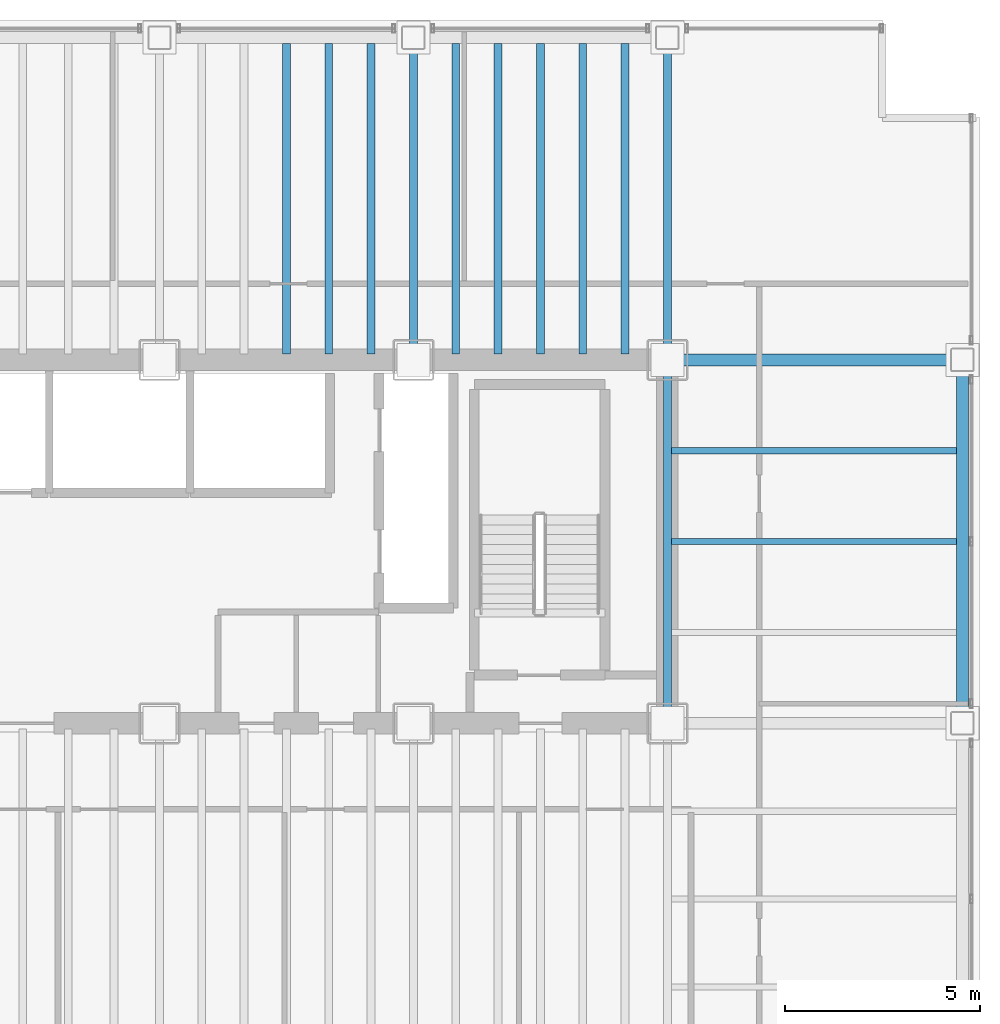
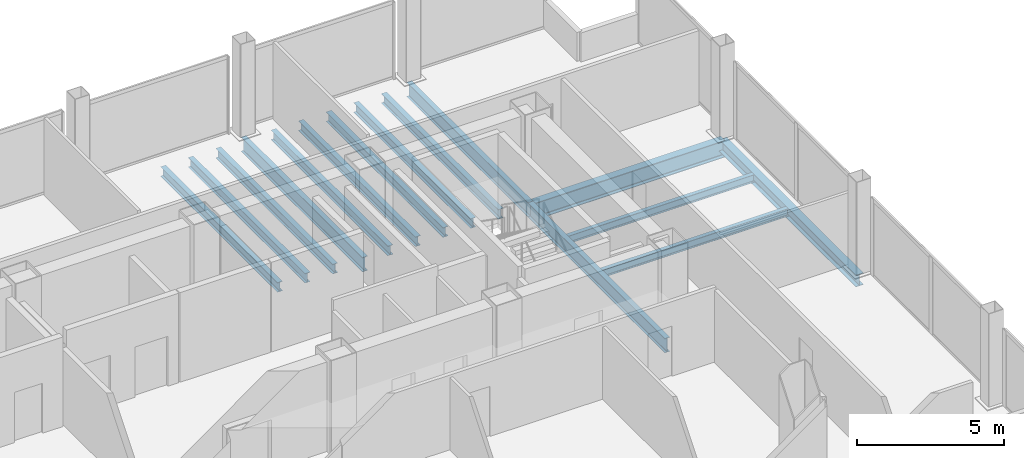
# One storey, part 12 of 21: 15 beams.
"""IFC4 building model written with IfcOpenShell, lengths in metres."""

import ifcopenshell
import ifcopenshell.guid

model = None  # the IFC model being written
_history = None  # IfcOwnerHistory: only IFC2X3 demands one
_inside = {}  # id of a spatial element -> (the spatial element, [elements in it])
_under = {}  # id of a project, library or spatial element -> (it, [spatial elements below it])
_declared = {}  # id of a project -> (the project, [libraries it declares])
_typed = {}  # id of a type object -> (the type object, [elements of that type])
_made_of = {}  # id of a material, layer set ... -> (it, [elements and type objects made of it])


def new_model(schema):
    """Start an empty IFC model of exactly this schema.

    Asked for "IFC4X3", IfcOpenShell would pick the latest addendum, in which some entities
    have other attributes; the version numbers below select the first issue.
    IFC2X3 requires an IfcOwnerHistory on every rooted entity: one is made here for all.
    """
    global model, _history
    if schema == "IFC4X3":
        model = ifcopenshell.file(schema_version=(4, 3, 0, 0))
    else:
        model = ifcopenshell.file(schema=schema)
    _inside.clear()
    _under.clear()
    _declared.clear()
    _typed.clear()
    _made_of.clear()
    _history = None
    if model.schema == "IFC2X3":
        org = make("IfcOrganization", Name="unknown")
        user = make(
            "IfcPersonAndOrganization",
            ThePerson=make("IfcPerson", FamilyName="unknown"),
            TheOrganization=org,
        )
        app = make(
            "IfcApplication",
            ApplicationDeveloper=org,
            Version="unknown",
            ApplicationFullName="unknown",
            ApplicationIdentifier="unknown",
        )
        _history = make(
            "IfcOwnerHistory",
            OwningUser=user,
            OwningApplication=app,
            ChangeAction="ADDED",
            CreationDate=0,
        )
    return model


def make(cls, **values):
    """One entity of the class cls with the attributes given. An attribute that is None is left unset."""
    return model.create_entity(
        cls, **{name: value for name, value in values.items() if value is not None}
    )


def rooted(cls, **values):
    """An entity with a GlobalId (a new one), such as an element, a storey or a relation."""
    return make(cls, GlobalId=ifcopenshell.guid.new(), OwnerHistory=_history, **values)


def si_unit(unit_type, name, prefix=None):
    """IfcSIUnit, for example si_unit("LENGTHUNIT", "METRE", prefix="MILLI")."""
    return make("IfcSIUnit", UnitType=unit_type, Prefix=prefix, Name=name)


def assignment(units):
    """IfcUnitAssignment: the units of a project."""
    return None if units is None else make("IfcUnitAssignment", Units=units)


def point(xyz):
    """IfcCartesianPoint."""
    return None if xyz is None else make("IfcCartesianPoint", Coordinates=xyz)


def direction(xyz):
    """IfcDirection."""
    return None if xyz is None else make("IfcDirection", DirectionRatios=xyz)


def frame(location, z_axis=None, x_axis=None):
    """IfcAxis2Placement3D, a coordinate frame: its origin and axes. An axis left out is left unset."""
    return make(
        "IfcAxis2Placement3D",
        Location=point(location),
        Axis=direction(z_axis),
        RefDirection=direction(x_axis),
    )


def frame_2d(location, x_axis=None):
    """IfcAxis2Placement2D, a coordinate frame in the plane: its origin and x axis."""
    return make(
        "IfcAxis2Placement2D", Location=point(location), RefDirection=direction(x_axis)
    )


def origin():
    """The frame at (0, 0, 0) with its axes left unset."""
    return frame((0.0, 0.0, 0.0))


def origin_2d():
    """The frame at (0, 0) in the plane with its x axis left unset."""
    return frame_2d((0.0, 0.0))


def place(relative_to, where):
    """IfcLocalPlacement: puts the frame where relative to a parent placement (None: the world)."""
    return make(
        "IfcLocalPlacement", PlacementRelTo=relative_to, RelativePlacement=where
    )


def context(
    kind, dimensions, precision=None, world=None, true_north=None, identifier=None
):
    """IfcGeometricRepresentationContext, for example the 3D "Model" context."""
    return make(
        "IfcGeometricRepresentationContext",
        ContextIdentifier=identifier,
        ContextType=kind,
        CoordinateSpaceDimension=dimensions,
        Precision=precision,
        WorldCoordinateSystem=world,
        TrueNorth=true_north,
    )


def subcontext(parent, identifier, kind, view, scale=None):
    """IfcGeometricRepresentationSubContext, for example "Body" below "Model"."""
    return make(
        "IfcGeometricRepresentationSubContext",
        ContextIdentifier=identifier,
        ContextType=kind,
        ParentContext=parent,
        TargetScale=scale,
        TargetView=view,
    )


def project(units=None, contexts=None):
    """IfcProject with its units and contexts."""
    return rooted(
        "IfcProject",
        Name="project",
        RepresentationContexts=contexts,
        UnitsInContext=assignment(units),
    )


def spatial(cls, under=None, at=None, **own):
    """A site, building, storey or space (cls), placed at a placement, below another one or the project."""
    s = rooted(cls, ObjectPlacement=at, **own)
    if under is not None:
        _under.setdefault(under.id(), (under, []))[1].append(s)
    return s


def profile(cls, at=None, kind="AREA", **sizes):
    """A parametric profile (cls). Its sizes go by their IFC names, for example OverallWidth=200.0."""
    return make(cls, ProfileType=kind, Position=at, **sizes)


def i_section(**sizes):
    """IfcIShapeProfileDef."""
    return profile("IfcIShapeProfileDef", **sizes)


def extrude(swept, where, along, depth):
    """IfcExtrudedAreaSolid: the profile swept, set in the frame where, extruded along a direction by depth."""
    return make(
        "IfcExtrudedAreaSolid",
        SweptArea=swept,
        Position=where,
        ExtrudedDirection=direction(along),
        Depth=depth,
    )


def shape(context_of_items, identifier, shape_type, items):
    """IfcShapeRepresentation: the items that make up one representation, for example the "Body"."""
    return make(
        "IfcShapeRepresentation",
        ContextOfItems=context_of_items,
        RepresentationIdentifier=identifier,
        RepresentationType=shape_type,
        Items=items,
    )


def material(Name=None, Category=None):
    """IfcMaterial."""
    return make("IfcMaterial", Name=Name, Category=Category)


def material_profile(
    of_material, cross_section, Name=None, Category=None, Priority=None
):
    """IfcMaterialProfile: a cross section and its material."""
    return make(
        "IfcMaterialProfile",
        Name=Name,
        Material=of_material,
        Profile=cross_section,
        Priority=Priority,
        Category=Category,
    )


def profile_set(profiles, Name=None, composite=None):
    """IfcMaterialProfileSet."""
    return make(
        "IfcMaterialProfileSet",
        Name=Name,
        MaterialProfiles=profiles,
        CompositeProfile=composite,
    )


def made_of(thing, what):
    """Note that an element or type object is made of a material, layer set ...; save() writes the relation."""
    if what is not None:
        _made_of.setdefault(what.id(), (what, []))[1].append(thing)
    return thing


def type_object(cls, material=None, **own):
    """A type object (cls), such as IfcWallType, which elements share."""
    return made_of(rooted(cls, **own), material)


def element(
    cls,
    number,
    at=None,
    inside=None,
    cuts=None,
    type_object=None,
    material=None,
    context=None,
    identifier="Body",
    shape_type=None,
    held_by="IfcProductDefinitionShape",
    body=None,
    shapes=None,
    **own,
):
    """One element of the class cls, such as IfcWall. Its Tag is "e" and its number.

    at: its placement. inside: the storey or other place that contains it. cuts: it is an
    opening in that element (IfcRelVoidsElement). A single representation is given by context,
    identifier, shape_type and body (its items); several are given by shapes. held_by: the class
    of the entity that holds the representations. save() writes the other relations.
    """
    e = rooted(cls, Tag="e%d" % number, ObjectPlacement=at, **own)
    if body is not None:
        shapes = [shape(context, identifier, shape_type, body)]
    if shapes is not None:
        e.Representation = make(held_by, Representations=shapes)
    if inside is not None:
        _inside.setdefault(inside.id(), (inside, []))[1].append(e)
    if cuts is not None:
        rooted(
            "IfcRelVoidsElement", RelatingBuildingElement=cuts, RelatedOpeningElement=e
        )
    if type_object is not None:
        _typed.setdefault(type_object.id(), (type_object, []))[1].append(e)
    return made_of(e, material)


def aggregate(whole, parts):
    """IfcRelAggregates: a whole, such as a stair, and the parts it consists of."""
    return rooted("IfcRelAggregates", RelatingObject=whole, RelatedObjects=parts)


def save(model, path):
    """Write the relations noted so far, then the file.

    IfcRelAggregates (storeys below a building ...), IfcRelContainedInSpatialStructure (elements
    in a storey), IfcRelDefinesByType, IfcRelAssociatesMaterial and IfcRelDeclares: one each for
    every whole, place, type object, material and project.
    """
    for whole, parts in _under.values():
        aggregate(whole, parts)
    for where, things in _inside.values():
        rooted(
            "IfcRelContainedInSpatialStructure",
            RelatedElements=things,
            RelatingStructure=where,
        )
    for kind, things in _typed.values():
        rooted("IfcRelDefinesByType", RelatedObjects=things, RelatingType=kind)
    for what, things in _made_of.values():
        rooted("IfcRelAssociatesMaterial", RelatedObjects=things, RelatingMaterial=what)
    for by, libraries in _declared.values():
        rooted("IfcRelDeclares", RelatingContext=by, RelatedDefinitions=libraries)
    model.write(path)


model = new_model("IFC4")

# Units and contexts
model_context = context("Model", 3, precision=1e-05, world=origin(), true_north=direction((0.0, 1.0)))
body_context = subcontext(model_context, "Body", "Model", "MODEL_VIEW")
ifc_project = project(units=[si_unit("LENGTHUNIT", "METRE"), si_unit("AREAUNIT", "SQUARE_METRE"), si_unit("VOLUMEUNIT", "CUBIC_METRE"), si_unit("PLANEANGLEUNIT", "RADIAN"), si_unit("MASSUNIT", "GRAM", prefix="KILO")], contexts=[model_context])

# Site, building, storey
site_placement = place(None, origin())
site = spatial("IfcSite", under=ifc_project, at=site_placement, CompositionType="ELEMENT")
building_placement = place(site_placement, origin())
building = spatial("IfcBuilding", under=site, at=building_placement, Name="Noeulbin Bourse Tower", CompositionType="ELEMENT")
storey_placement = place(building_placement, frame((0.0, 0.0, 34.300048828125)))
storey = spatial("IfcBuildingStorey", under=building, at=storey_placement, Name="L08", CompositionType="ELEMENT", Elevation=34.300048828125)

# Beams
ifc_material = material(Name="Steel S355", Category="steel")
ifc_material_profile_1 = material_profile(ifc_material, i_section(OverallWidth=0.199951171875, OverallDepth=0.60009765625, WebThickness=0.010986328125, FlangeThickness=0.01708984375, FilletRadius=0.02197265625, at=origin_2d()), Name="H-600x200x11x17", Category="LoadBearing")
ifc_profile_set_1 = profile_set([ifc_material_profile_1], Name="Steel S355")
beam_type_1 = type_object("IfcBeamType", Name="BM-GRD-600", PredefinedType="USERDEFINED", material=ifc_profile_set_1)
beam_1_placement = place(storey_placement, frame((37.5, 38.300048828125, -0.47998046875), z_axis=(0.0, 1.0, 0.0), x_axis=(-1.0, 0.0, 0.0)))
element("IfcBeam", 1, at=beam_1_placement, inside=storey, type_object=beam_type_1, Name="Tower Primary Girder NS L08-4.4", ObjectType="GIRDER", PredefinedType="USERDEFINED", context=body_context, shape_type="SweptSolid", body=[
    extrude(i_section(OverallWidth=0.199951171875, OverallDepth=0.60009765625, WebThickness=0.010986328125, FlangeThickness=0.01708984375, FilletRadius=0.02197265625, at=origin_2d()), origin(), (0.0, 0.0, 1.0), 8.25),
])
beam_2_placement = place(storey_placement, frame((44.0, 29.0, -0.47998046875), z_axis=(0.0, 1.0, 0.0), x_axis=(-1.0, 0.0, 0.0)))
element("IfcBeam", 2, at=beam_2_placement, inside=storey, type_object=beam_type_1, Name="Tower Primary Girder NS L08-5.3", ObjectType="GIRDER", PredefinedType="USERDEFINED", context=body_context, shape_type="SweptSolid", body=[
    extrude(i_section(OverallWidth=0.199951171875, OverallDepth=0.60009765625, WebThickness=0.010986328125, FlangeThickness=0.01708984375, FilletRadius=0.02197265625, at=origin_2d()), origin(), (0.0, 0.0, 1.0), 9.300048828125),
])
beam_3_placement = place(storey_placement, frame((44.0, 38.300048828125, -0.47998046875), z_axis=(0.0, 1.0, 0.0), x_axis=(-1.0, 0.0, 0.0)))
element("IfcBeam", 3, at=beam_3_placement, inside=storey, type_object=beam_type_1, Name="Tower Primary Girder NS L08-5.4", ObjectType="GIRDER", PredefinedType="USERDEFINED", context=body_context, shape_type="SweptSolid", body=[
    extrude(i_section(OverallWidth=0.199951171875, OverallDepth=0.60009765625, WebThickness=0.010986328125, FlangeThickness=0.01708984375, FilletRadius=0.02197265625, at=origin_2d()), origin(), (0.0, 0.0, 1.0), 8.25),
])
ifc_material_profile_2 = material_profile(ifc_material, i_section(OverallWidth=0.300048828125, OverallDepth=0.699951171875, WebThickness=0.012939453125, FlangeThickness=0.02392578125, FilletRadius=0.02392578125, at=origin_2d()), Name="H-700x300x13x24", Category="LoadBearing")
ifc_profile_set_2 = profile_set([ifc_material_profile_2], Name="Steel S355")
beam_type_2 = type_object("IfcBeamType", Name="BM-GRD-700", PredefinedType="USERDEFINED", material=ifc_profile_set_2)
beam_4_placement = place(storey_placement, frame((44.0, 38.300048828125, -0.530029296875), z_axis=(1.0, 0.0, 0.0), x_axis=(0.0, 1.0, 0.0)))
element("IfcBeam", 4, at=beam_4_placement, inside=storey, type_object=beam_type_2, Name="Tower Primary Girder EW L08-3.6", ObjectType="GIRDER", PredefinedType="USERDEFINED", context=body_context, shape_type="SweptSolid", body=[
    extrude(i_section(OverallWidth=0.300048828125, OverallDepth=0.699951171875, WebThickness=0.012939453125, FlangeThickness=0.02392578125, FilletRadius=0.02392578125, at=origin_2d()), origin(), (0.0, 0.0, 1.0), 7.550048828125),
])
ifc_material_profile_3 = material_profile(ifc_material, i_section(OverallWidth=0.159912109375, OverallDepth=0.320068359375, WebThickness=0.006591796875, FlangeThickness=0.010009765625, FilletRadius=0.012939453125, at=origin_2d()), Name="H-320x160x6.5x10", Category="LoadBearing")
ifc_profile_set_3 = profile_set([ifc_material_profile_3], Name="Steel S355")
beam_type_3 = type_object("IfcBeamType", Name="BM-JST-320", PredefinedType="JOIST", material=ifc_profile_set_3)
for number, where, z_axis, x_axis, name in (
    (5, (44.10009765625, 33.64990234375, -0.340087890625), (1.0, 0.0, 0.0), (0.0, 1.0, 0.0), "Wing Composite Joist L08-E79"),
    (6, (44.10009765625, 35.97509765625, -0.340087890625), (1.0, 0.0, 0.0), (0.0, 1.0, 0.0), "Wing Composite Joist L08-E80"),
):
    element("IfcBeam", number, at=place(storey_placement, frame(where, z_axis=z_axis, x_axis=x_axis)), inside=storey, type_object=beam_type_3, Name=name, PredefinedType="JOIST", context=body_context, shape_type="SweptSolid", body=[
        extrude(i_section(OverallWidth=0.159912109375, OverallDepth=0.320068359375, WebThickness=0.006591796875, FlangeThickness=0.010009765625, FilletRadius=0.012939453125, at=origin_2d()), origin(), (0.0, 0.0, 1.0), 7.2998046875),
    ])
ifc_material_profile_4 = material_profile(ifc_material, i_section(OverallWidth=0.199951171875, OverallDepth=0.39990234375, WebThickness=0.008056640625, FlangeThickness=0.012939453125, FilletRadius=0.01611328125, at=origin_2d()), Name="H-400x200x8x13", Category="LoadBearing")
ifc_profile_set_4 = profile_set([ifc_material_profile_4], Name="Steel S355")
beam_type_4 = type_object("IfcBeamType", Name="BM-SEC-400", PredefinedType="BEAM", material=ifc_profile_set_4)
for number, where, z_axis, x_axis, name in (
    (7, (34.25, 38.449951171875, -0.380126953125), (0.0, 1.0, 0.0), (-1.0, 0.0, 0.0), "Tower Composite Joist L08-47"),
    (8, (35.333251953125, 38.449951171875, -0.380126953125), (0.0, 1.0, 0.0), (-1.0, 0.0, 0.0), "Tower Composite Joist L08-50"),
    (9, (36.416748046875, 38.449951171875, -0.380126953125), (0.0, 1.0, 0.0), (-1.0, 0.0, 0.0), "Tower Composite Joist L08-53"),
    (10, (38.583251953125, 38.449951171875, -0.380126953125), (0.0, 1.0, 0.0), (-1.0, 0.0, 0.0), "Tower Composite Joist L08-56"),
    (11, (39.666748046875, 38.449951171875, -0.380126953125), (0.0, 1.0, 0.0), (-1.0, 0.0, 0.0), "Tower Composite Joist L08-59"),
    (12, (40.75, 38.449951171875, -0.380126953125), (0.0, 1.0, 0.0), (-1.0, 0.0, 0.0), "Tower Composite Joist L08-62"),
    (13, (41.833251953125, 38.449951171875, -0.380126953125), (0.0, 1.0, 0.0), (-1.0, 0.0, 0.0), "Tower Composite Joist L08-65"),
    (14, (42.916748046875, 38.449951171875, -0.380126953125), (0.0, 1.0, 0.0), (-1.0, 0.0, 0.0), "Tower Composite Joist L08-68"),
):
    element("IfcBeam", number, at=place(storey_placement, frame(where, z_axis=z_axis, x_axis=x_axis)), inside=storey, type_object=beam_type_4, Name=name, PredefinedType="BEAM", context=body_context, shape_type="SweptSolid", body=[
        extrude(i_section(OverallWidth=0.199951171875, OverallDepth=0.39990234375, WebThickness=0.008056640625, FlangeThickness=0.012939453125, FilletRadius=0.01611328125, at=origin_2d()), origin(), (0.0, 0.0, 1.0), 7.949951171875),
    ])
ifc_material_profile_5 = material_profile(ifc_material, i_section(OverallWidth=0.300048828125, OverallDepth=0.488037109375, WebThickness=0.010986328125, FlangeThickness=0.01806640625, FilletRadius=0.02197265625, at=origin_2d()), Name="H-488x300x11x18", Category="LoadBearing")
ifc_profile_set_5 = profile_set([ifc_material_profile_5], Name="Steel S355")
beam_type_5 = type_object("IfcBeamType", Name="BM-SPN-488", PredefinedType="SPANDREL", material=ifc_profile_set_5)
beam_5_placement = place(storey_placement, frame((51.550048828125, 29.0, -0.424072265625), z_axis=(0.0, 1.0, 0.0), x_axis=(-1.0, 0.0, 0.0)))
element("IfcBeam", 15, at=beam_5_placement, inside=storey, type_object=beam_type_5, Name="East Spandrel L08-2", PredefinedType="SPANDREL", context=body_context, shape_type="SweptSolid", body=[
    extrude(i_section(OverallWidth=0.300048828125, OverallDepth=0.488037109375, WebThickness=0.010986328125, FlangeThickness=0.01806640625, FilletRadius=0.02197265625, at=origin_2d()), origin(), (0.0, 0.0, 1.0), 9.300048828125),
])

save(model, "model.ifc")
